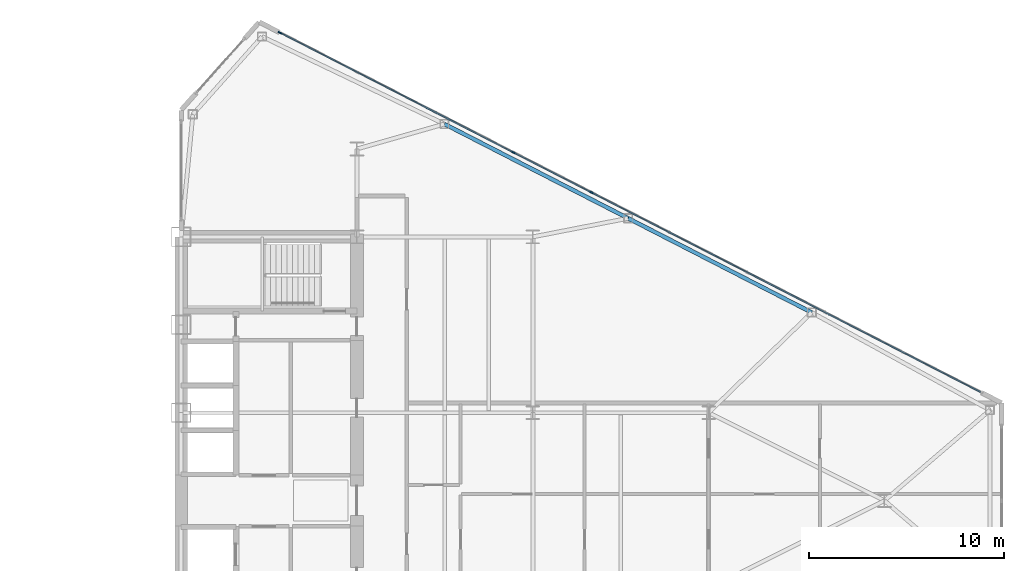
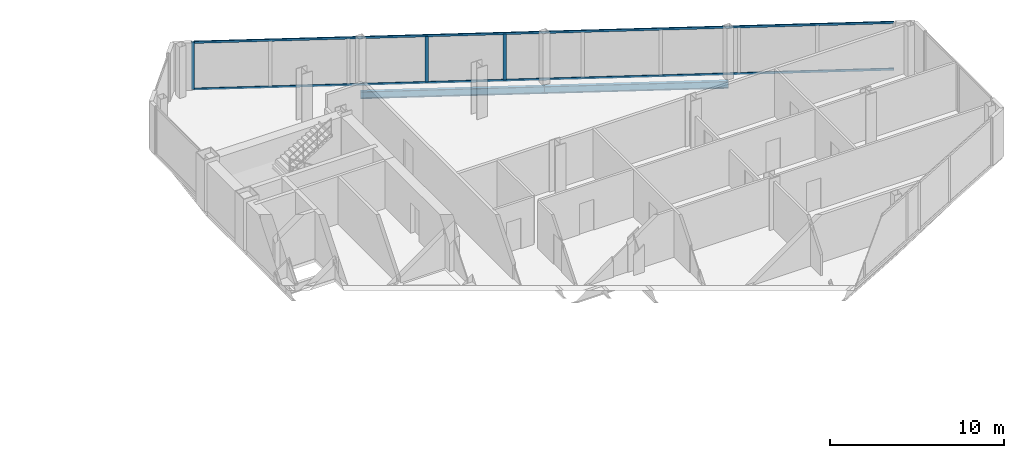
# One storey, part 12 of 23: 5 members, 2 beams, 1 element without a shape of its own.
"""IFC4 building model written with IfcOpenShell, lengths in metres."""

from ifc_helpers import new_model, si_unit, direction, frame, origin, origin_2d, place, context, subcontext, project, spatial, rectangle, i_section, extrude, source, transform, mapped, material, layer, layer_set, material_profile, profile_set, type_object, type_shapes, element, aggregate, save


model = new_model("IFC4")

# Units and contexts
model_context = context("Model", 3, precision=1e-05, world=origin(), true_north=direction((0.0, 1.0)))
body_context = subcontext(model_context, "Body", "Model", "MODEL_VIEW")
ifc_project = project(units=[si_unit("LENGTHUNIT", "METRE"), si_unit("AREAUNIT", "SQUARE_METRE"), si_unit("VOLUMEUNIT", "CUBIC_METRE"), si_unit("PLANEANGLEUNIT", "RADIAN"), si_unit("MASSUNIT", "GRAM", prefix="KILO")], contexts=[model_context])

# Site, building, storey
site_placement = place(None, origin())
site = spatial("IfcSite", under=ifc_project, at=site_placement, CompositionType="ELEMENT")
building_placement = place(site_placement, origin())
building = spatial("IfcBuilding", under=site, at=building_placement, Name="Seokmaru Belvedere", CompositionType="ELEMENT")
storey_placement = place(building_placement, frame((0.0, 0.0, 132.0)))
storey = spatial("IfcBuildingStorey", under=building, at=storey_placement, Name="L35", CompositionType="ELEMENT", Elevation=132.0)

# Beams
ifc_material_1 = material(Name="Steel SM355 (355 MPa)", Category="steel")
ifc_material_profile_1 = material_profile(ifc_material_1, i_section(OverallWidth=0.199951171875, OverallDepth=0.5, WebThickness=0.010009765625, FlangeThickness=0.01611328125, at=origin_2d()), Name="H-500x200x10x16")
ifc_profile_set_1 = profile_set([ifc_material_profile_1], Name="Steel SM355 (355 MPa)")
beam_type = type_object("IfcBeamType", Name="Perimeter Spandrel Beam H-500", PredefinedType="SPANDREL", material=ifc_profile_set_1)
shared_shape_1 = source(origin(), body_context, "Body", "SweptSolid", [
    extrude(i_section(OverallWidth=0.199951171875, OverallDepth=0.5, WebThickness=0.010009765625, FlangeThickness=0.01611328125, at=origin_2d()), origin(), (0.0, 0.0, 1.0), 10.56689453125),
])
type_shapes(beam_type, [shared_shape_1])
for number, where, z_axis, x_axis, name in (
    (1, (40.975830078125, 19.277587890625, -0.469970703125), (0.889701972758, -0.45654178305, 0.0), (0.45654178305, 0.889701972758, 0.0), "L35 E Faceted Flank Spandrel N-2"),
    (2, (50.377197265625, 14.453369140625, -0.469970703125), (0.889692588006, -0.456560071455, 0.0), (0.456560071455, 0.889692588006, 0.0), "L35 E Faceted Flank Spandrel N-3"),
):
    element("IfcBeam", number, at=place(storey_placement, frame(where, z_axis=z_axis, x_axis=x_axis)), inside=storey, type_object=beam_type, Name=name, PredefinedType="SPANDREL", context=body_context, shape_type="MappedRepresentation", body=[
        mapped(shared_shape_1, transform((0.0, 0.0, 0.0), scale=1.0)),
    ])

# Curtain wall, members
ifc_material_2 = material(Name="Bronze Triple Insulating Glass", Category="glass")
ifc_layer = layer(ifc_material_2, 0.195068359375)
ifc_layer_set = layer_set([ifc_layer], Name="Bronze Triple Insulating Glass")
curtain_wall_type = type_object("IfcCurtainWallType", Name="Sky-Lobby and Mid-Rise Curtain Wall System CW-4", PredefinedType="NOTDEFINED", material=ifc_layer_set)
curtain_wall_placement = place(storey_placement, origin())
curtain_wall = element("IfcCurtainWall", 3, at=curtain_wall_placement, inside=storey, type_object=curtain_wall_type, Name="L35 Curtain Wall EF3", PredefinedType="NOTDEFINED")
ifc_material_3 = material(Name="Anodised Bronze Aluminium", Category="aluminium")
ifc_material_profile_2 = material_profile(ifc_material_3, rectangle(XDim=0.070068359375, YDim=0.195068359375, at=origin_2d()), Name="CW-M-70x195")
ifc_profile_set_2 = profile_set([ifc_material_profile_2], Name="Anodised Bronze Aluminium")
member_type_1 = type_object("IfcMemberType", Name="Bronze Unitised Mullion 70x195", PredefinedType="MULLION", material=ifc_profile_set_2)
shared_shape_2 = source(origin(), body_context, "Body", "SweptSolid", [
    extrude(rectangle(XDim=0.070068359375, YDim=0.195068359375, at=origin_2d()), origin(), (0.0, 0.0, 1.0), 3.340087890625),
])
member_1_placement = place(storey_placement, frame((32.55419921875, 23.958984375, 0.0), z_axis=(0.0, 0.0, 1.0), x_axis=(-0.456554528263, -0.889695432562, 0.0)))
member_1 = element("IfcMember", 4, at=member_1_placement, type_object=member_type_1, Name="CW:L35:EF3 Mullion 10", PredefinedType="MULLION", context=body_context, shape_type="MappedRepresentation", body=[
    mapped(shared_shape_2, transform((0.0, 0.0, 0.0), scale=1.0)),
])
ifc_material_profile_3 = material_profile(ifc_material_3, rectangle(XDim=0.06494140625, YDim=0.14990234375, at=origin_2d()), Name="CW-T-65x150")
ifc_profile_set_3 = profile_set([ifc_material_profile_3], Name="Anodised Bronze Aluminium")
member_type_2 = type_object("IfcMemberType", Name="Bronze Unitised Transom 65x150", PredefinedType="USERDEFINED", material=ifc_profile_set_3)
shared_shape_3 = source(origin(), body_context, "Body", "SweptSolid", [
    extrude(rectangle(XDim=0.06494140625, YDim=0.14990234375, at=origin_2d()), origin(), (0.0, 0.0, 1.0), 40.271240234375),
])
type_shapes(member_type_2, [shared_shape_3])
member_2_placement = place(storey_placement, frame((68.41455078125, 5.556884765625, 0.032470703125), z_axis=(-0.889693089107, 0.456559094965, 0.0), x_axis=(-0.456559094965, -0.889693089107, 0.0)))
member_2 = element("IfcMember", 5, at=member_2_placement, type_object=member_type_2, Name="CW:L35:EF3 Continuous Transom 1", ObjectType="TRANSOM", PredefinedType="USERDEFINED", context=body_context, shape_type="MappedRepresentation", body=[
    mapped(shared_shape_3, transform((0.0, 0.0, 0.0), scale=1.0)),
])
member_3_placement = place(storey_placement, frame((68.41455078125, 5.556884765625, 3.3076171875), z_axis=(-0.889693089107, 0.456559094965, 0.0), x_axis=(-0.456559094965, -0.889693089107, 0.0)))
member_3 = element("IfcMember", 6, at=member_3_placement, type_object=member_type_2, Name="CW:L35:EF3 Continuous Transom 2", ObjectType="TRANSOM", PredefinedType="USERDEFINED", context=body_context, shape_type="MappedRepresentation", body=[
    mapped(shared_shape_3, transform((0.0, 0.0, 0.0), scale=1.0)),
])
shared_shape_4 = source(origin(), body_context, "Body", "SweptSolid", [
    extrude(rectangle(XDim=0.070068359375, YDim=0.195068359375, at=origin_2d()), origin(), (0.0, 0.0, 1.0), 3.2099609375),
])
type_shapes(member_type_1, [shared_shape_2, shared_shape_4])
member_4_placement = place(storey_placement, frame((48.502685546875, 15.77490234375, 0.06494140625), z_axis=(0.0, 0.0, 1.0), x_axis=(-0.456554528263, -0.889695432562, 0.0)))
member_4 = element("IfcMember", 7, at=member_4_placement, type_object=member_type_1, Name="CW:L35:EF3 Mullion 6", PredefinedType="MULLION", context=body_context, shape_type="MappedRepresentation", body=[
    mapped(shared_shape_4, transform((0.0, 0.0, 0.0), scale=1.0)),
])
member_5_placement = place(storey_placement, frame((44.5078125, 17.824951171875, 0.06494140625), z_axis=(0.0, 0.0, 1.0), x_axis=(-0.456554528263, -0.889695432562, 0.0)))
member_5 = element("IfcMember", 8, at=member_5_placement, type_object=member_type_1, Name="CW:L35:EF3 Mullion 7", PredefinedType="MULLION", context=body_context, shape_type="MappedRepresentation", body=[
    mapped(shared_shape_4, transform((0.0, 0.0, 0.0), scale=1.0)),
])
aggregate(curtain_wall, [member_4, member_5, member_1, member_2, member_3])

save(model, "model.ifc")
